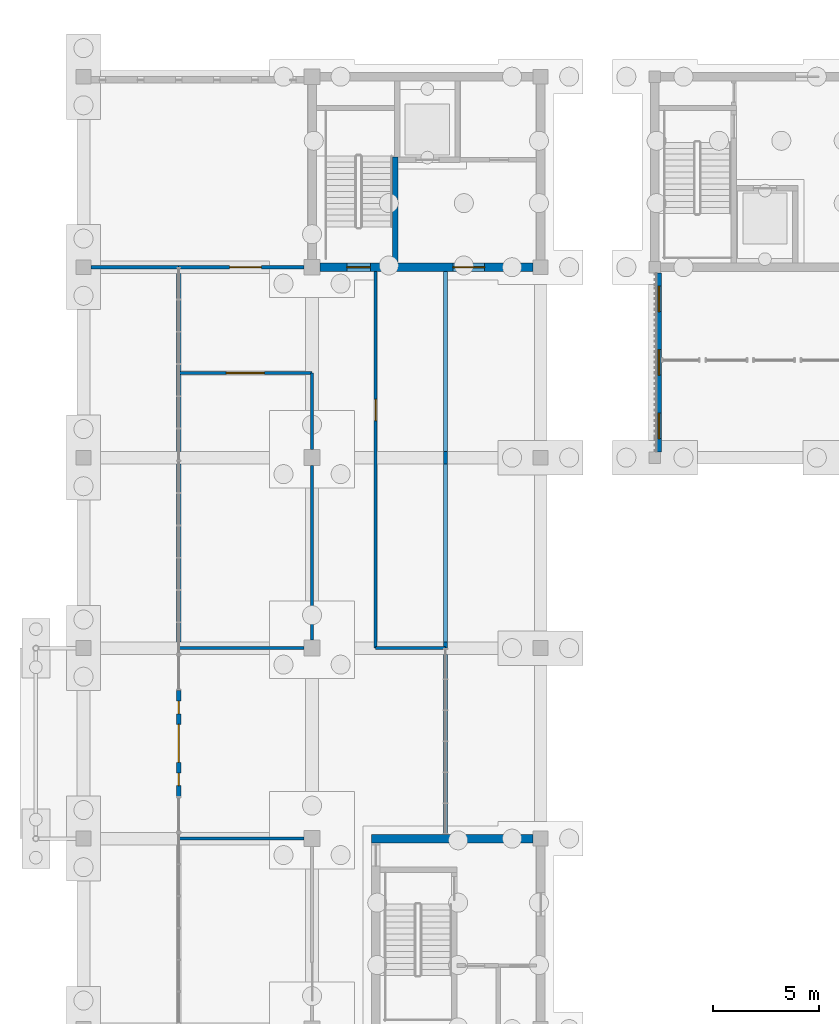
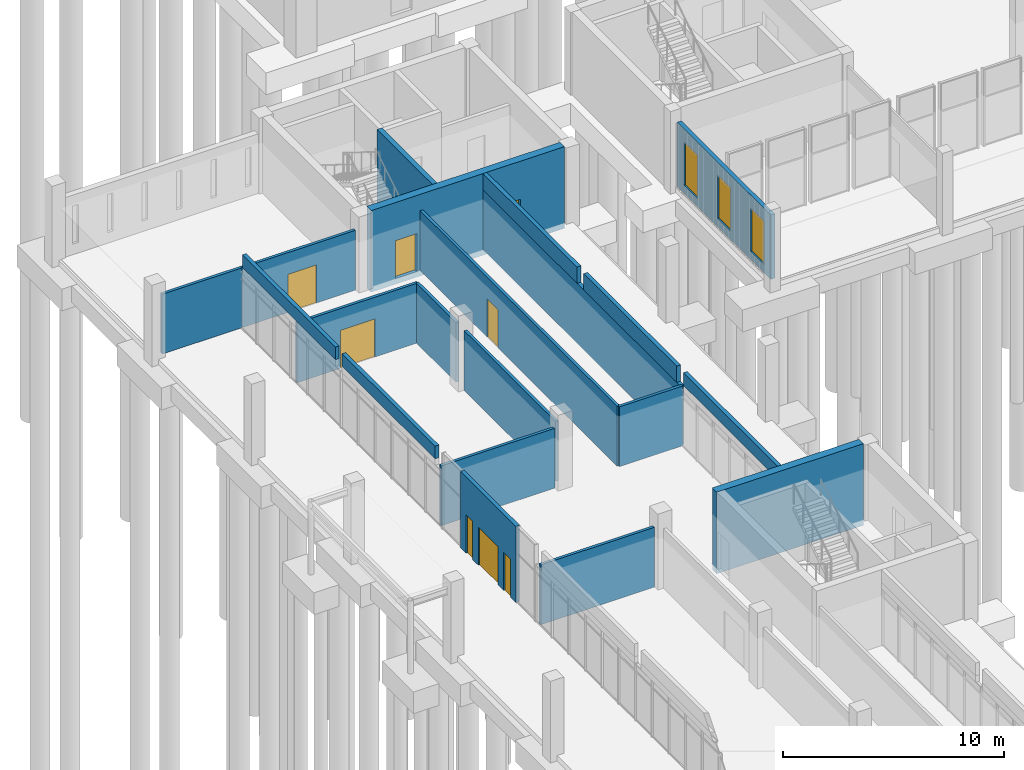
# One storey, part 73 of 106: 20 walls, 6 doors, 5 windows, 11 openings.
"""IFC4 building model written with IfcOpenShell, lengths in metres."""

from ifc_helpers import new_model, si_unit, direction, frame, frame_2d, origin, place, context, subcontext, project, spatial, rectangle, extrude, material, layer, layer_set, type_object, element, fill, save


model = new_model("IFC4")

# Units and contexts
model_context = context("Model", 3, precision=1e-05, world=origin(), true_north=direction((0.0, 1.0)))
body_context = subcontext(model_context, "Body", "Model", "MODEL_VIEW")
ifc_project = project(units=[si_unit("LENGTHUNIT", "METRE"), si_unit("AREAUNIT", "SQUARE_METRE"), si_unit("VOLUMEUNIT", "CUBIC_METRE"), si_unit("PLANEANGLEUNIT", "RADIAN"), si_unit("MASSUNIT", "GRAM", prefix="KILO")], contexts=[model_context])

# Site, building, storey
site_placement = place(None, origin())
site = spatial("IfcSite", under=ifc_project, at=site_placement, CompositionType="ELEMENT")
building_placement = place(site_placement, origin())
building = spatial("IfcBuilding", under=site, at=building_placement, Name="Merrow Basin Faculty of Sciences", CompositionType="ELEMENT")
storey_placement = place(building_placement, origin())
storey = spatial("IfcBuildingStorey", under=building, at=storey_placement, Name="L00", CompositionType="ELEMENT", Elevation=0.0)

# Walls
ifc_material_1 = material(Name="Fire-rated gypsum board")
ifc_layer_1 = layer(ifc_material_1, 0.14990234375)
ifc_layer_set_1 = layer_set([ifc_layer_1], Name="Corridor partition 150 fire-rated board on steel studs")
wall_type_1 = type_object("IfcWallType", Name="Corridor partition 150 fire-rated board on steel studs", PredefinedType="PARTITIONING", material=ifc_layer_set_1)
wall_1_placement = place(storey_placement, frame((10.800048828125, 106.375, 0.0), z_axis=(0.0, 0.0, 1.0), x_axis=(0.0, 1.0, 0.0)))
element("IfcWall", 1, at=wall_1_placement, inside=storey, type_object=wall_type_1, Name="IW151 L00 009", PredefinedType="PARTITIONING", context=body_context, shape_type="SweptSolid", body=[
    extrude(rectangle(XDim=8.25, YDim=0.14990234375, at=frame_2d((4.125, 0.0))), origin(), (0.0, 0.0, 1.0), 3.300048828125),
])
wall_2_placement = place(storey_placement, frame((10.800048828125, 115.375, 0.0), z_axis=(0.0, 0.0, 1.0), x_axis=(0.0, 1.0, 0.0)))
element("IfcWall", 2, at=wall_2_placement, inside=storey, type_object=wall_type_1, Name="IW151 L00 010", PredefinedType="PARTITIONING", context=body_context, shape_type="SweptSolid", body=[
    extrude(rectangle(XDim=3.625, YDim=0.14990234375, at=frame_2d((1.8125, 0.0))), origin(), (0.0, 0.0, 1.0), 3.300048828125),
])

# Wall, opening, door
wall_3_placement = place(storey_placement, frame((13.800048828125, 106.0, 0.0), z_axis=(0.0, 0.0, 1.0), x_axis=(0.0, 1.0, 0.0)))
wall_3 = element("IfcWall", 3, at=wall_3_placement, inside=storey, type_object=wall_type_1, Name="IW151 L00 012", PredefinedType="PARTITIONING", context=body_context, shape_type="SweptSolid", body=[
    extrude(rectangle(XDim=17.800048828125, YDim=0.14990234375, at=frame_2d((8.89990234375, 0.0))), origin(), (0.0, 0.0, 1.0), 3.300048828125),
])
opening_1_placement = place(wall_3_placement, frame((10.75, 0.0, 0.0)))
opening_1 = element("IfcOpeningElement", 4, at=opening_1_placement, cuts=wall_3, Name="Opening D00B022", PredefinedType="OPENING", context=body_context, shape_type="SweptSolid", body=[
    extrude(rectangle(XDim=1.0, YDim=2.10009765625, at=frame_2d((0.5, 1.050048828125))), frame((0.0, 0.0849609375, 0.0), z_axis=(0.0, -1.0, 0.0), x_axis=(1.0, 0.0, 0.0)), (0.0, 0.0, 1.0), 0.169921875),
])
ifc_material_2 = material(Name="Fire-rated steel door", Category="steel")
door_type_1 = type_object("IfcDoorType", Name="Fire door FD60 1000 x 2100", OperationType="NOTDEFINED", PredefinedType="DOOR", material=ifc_material_2)
door_1_placement = place(opening_1_placement, origin())
door_1 = element("IfcDoor", 5, at=door_1_placement, inside=storey, type_object=door_type_1, Name="Door D00B022", OperationType="SINGLE_SWING_RIGHT", OverallHeight=2.10009765625, OverallWidth=1.0, PredefinedType="DOOR", context=body_context, shape_type="SweptSolid", body=[
    extrude(rectangle(XDim=1.0, YDim=2.10009765625, at=frame_2d((0.5, 1.050048828125))), frame((0.0, 0.02490234375, 0.0), z_axis=(0.0, -1.0, 0.0), x_axis=(1.0, 0.0, 0.0)), (0.0, 0.0, 1.0), 0.050048828125),
])
fill(opening_1, door_1)

# Walls
for number, where, z_axis, x_axis, name in (
    (6, (4.5, 97.0, 0.0), (0.0, 0.0, 1.0), (1.0, 0.0, 0.0), "IW151 L00 019"),
    (7, (4.5, 106.0, 0.0), (0.0, 0.0, 1.0), (1.0, 0.0, 0.0), "IW151 L00 020"),
):
    element("IfcWall", number, at=place(storey_placement, frame(where, z_axis=z_axis, x_axis=x_axis)), inside=storey, type_object=wall_type_1, Name=name, PredefinedType="PARTITIONING", context=body_context, shape_type="SweptSolid", body=[
        extrude(rectangle(XDim=5.925048828125, YDim=0.14990234375, at=frame_2d((2.96240234375, 0.0))), origin(), (0.0, 0.0, 1.0), 3.300048828125),
    ])
wall_4_placement = place(storey_placement, frame((13.800048828125, 106.0, 0.0), z_axis=(0.0, 0.0, 1.0), x_axis=(1.0, 0.0, 0.0)))
element("IfcWall", 8, at=wall_4_placement, inside=storey, type_object=wall_type_1, Name="IW151 L00 021", PredefinedType="PARTITIONING", context=body_context, shape_type="SweptSolid", body=[
    extrude(rectangle(XDim=3.300048828125, YDim=0.14990234375, at=frame_2d((1.64990234375, 0.0))), origin(), (0.0, 0.0, 1.0), 3.300048828125),
])

# Wall, opening, door
wall_5_placement = place(storey_placement, frame((4.5, 119.0, 0.0), z_axis=(0.0, 0.0, 1.0), x_axis=(1.0, 0.0, 0.0)))
wall_5 = element("IfcWall", 9, at=wall_5_placement, inside=storey, type_object=wall_type_1, Name="IW151 L00 022", PredefinedType="PARTITIONING", context=body_context, shape_type="SweptSolid", body=[
    extrude(rectangle(XDim=6.300048828125, YDim=0.14990234375, at=frame_2d((3.14990234375, 0.0))), origin(), (0.0, 0.0, 1.0), 3.300048828125),
])
opening_2_placement = place(wall_5_placement, frame((2.25, 0.0, 0.0)))
opening_2 = element("IfcOpeningElement", 10, at=opening_2_placement, cuts=wall_5, Name="Opening D00B021", PredefinedType="OPENING", context=body_context, shape_type="SweptSolid", body=[
    extrude(rectangle(XDim=1.800048828125, YDim=2.10009765625, at=frame_2d((0.89990234375, 1.050048828125))), frame((0.0, 0.0849609375, 0.0), z_axis=(0.0, -1.0, 0.0), x_axis=(1.0, 0.0, 0.0)), (0.0, 0.0, 1.0), 0.169921875),
])
ifc_material_3 = material(Name="Glazed aluminium door", Category="aluminium")
door_type_2 = type_object("IfcDoorType", Name="Double swing door 1800 x 2100", OperationType="NOTDEFINED", PredefinedType="DOOR", material=ifc_material_3)
door_2_placement = place(opening_2_placement, origin())
door_2 = element("IfcDoor", 11, at=door_2_placement, inside=storey, type_object=door_type_2, Name="Door D00B021", OperationType="DOUBLE_DOOR_SINGLE_SWING", OverallHeight=2.10009765625, OverallWidth=1.800048828125, PredefinedType="DOOR", context=body_context, shape_type="SweptSolid", body=[
    extrude(rectangle(XDim=1.800048828125, YDim=2.10009765625, at=frame_2d((0.89990234375, 1.050048828125))), frame((0.0, 0.02490234375, 0.0), z_axis=(0.0, -1.0, 0.0), x_axis=(1.0, 0.0, 0.0)), (0.0, 0.0, 1.0), 0.050048828125),
])
fill(opening_2, door_2)

wall_6_placement = place(storey_placement, frame((4.5, 124.0, 0.0), z_axis=(0.0, 0.0, 1.0), x_axis=(1.0, 0.0, 0.0)))
wall_6 = element("IfcWall", 12, at=wall_6_placement, inside=storey, type_object=wall_type_1, Name="IW151 L00 023", PredefinedType="PARTITIONING", context=body_context, shape_type="SweptSolid", body=[
    extrude(rectangle(XDim=5.925048828125, YDim=0.14990234375, at=frame_2d((2.96240234375, 0.0))), origin(), (0.0, 0.0, 1.0), 3.300048828125),
])
opening_3_placement = place(wall_6_placement, frame((2.39990234375, 0.0, 0.0)))
opening_3 = element("IfcOpeningElement", 13, at=opening_3_placement, cuts=wall_6, Name="Opening D00B023", PredefinedType="OPENING", context=body_context, shape_type="SweptSolid", body=[
    extrude(rectangle(XDim=1.5, YDim=2.10009765625, at=frame_2d((0.75, 1.050048828125))), frame((0.0, 0.0849609375, 0.0), z_axis=(0.0, -1.0, 0.0), x_axis=(1.0, 0.0, 0.0)), (0.0, 0.0, 1.0), 0.169921875),
])
ifc_material_4 = material(Name="Timber door leaf", Category="wood")
door_type_3 = type_object("IfcDoorType", Name="Double swing door 1500 x 2100", OperationType="NOTDEFINED", PredefinedType="DOOR", material=ifc_material_4)
door_3_placement = place(opening_3_placement, origin())
door_3 = element("IfcDoor", 14, at=door_3_placement, inside=storey, type_object=door_type_3, Name="Door D00B023", OperationType="DOUBLE_DOOR_SINGLE_SWING", OverallHeight=2.10009765625, OverallWidth=1.5, PredefinedType="DOOR", context=body_context, shape_type="SweptSolid", body=[
    extrude(rectangle(XDim=1.5, YDim=2.10009765625, at=frame_2d((0.75, 1.050048828125))), frame((0.0, 0.02490234375, 0.0), z_axis=(0.0, -1.0, 0.0), x_axis=(1.0, 0.0, 0.0)), (0.0, 0.0, 1.0), 0.050048828125),
])
fill(opening_3, door_3)

# Wall, openings, door, windows
ifc_material_5 = material(Name="Precast concrete C40/50", Category="concrete")
ifc_layer_2 = layer(ifc_material_5, 0.199951171875)
ifc_layer_set_2 = layer_set([ifc_layer_2], Name="Entrance frame wall 200 Precast concrete C40/50")
wall_type_2 = type_object("IfcWallType", Name="Entrance frame wall 200 Precast concrete C40/50", PredefinedType="STANDARD", material=ifc_layer_set_2)
wall_7_placement = place(storey_placement, frame((4.5, 99.0, 0.0), z_axis=(0.0, 0.0, 1.0), x_axis=(0.0, 1.0, 0.0)))
wall_7 = element("IfcWall", 15, at=wall_7_placement, inside=storey, type_object=wall_type_2, Name="Entrance frame wall west", PredefinedType="STANDARD", context=body_context, shape_type="SweptSolid", body=[
    extrude(rectangle(XDim=5.0, YDim=0.199951171875, at=frame_2d((2.5, 0.0))), origin(), (0.0, 0.0, 1.0), 4.199951171875),
])
opening_4_placement = place(wall_7_placement, frame((1.60009765625, 0.0, 0.0)))
opening_4 = element("IfcOpeningElement", 16, at=opening_4_placement, cuts=wall_7, Name="Opening D00B024", PredefinedType="OPENING", context=body_context, shape_type="SweptSolid", body=[
    extrude(rectangle(XDim=1.800048828125, YDim=2.10009765625, at=frame_2d((0.89990234375, 1.050048828125))), frame((0.0, 0.10986328125, 0.0), z_axis=(0.0, -1.0, 0.0), x_axis=(1.0, 0.0, 0.0)), (0.0, 0.0, 1.0), 0.219970703125),
])
opening_5_placement = place(wall_7_placement, frame((0.5, 0.0, 0.0)))
opening_5 = element("IfcOpeningElement", 17, at=opening_5_placement, cuts=wall_7, Name="Opening WN2", PredefinedType="OPENING", context=body_context, shape_type="SweptSolid", body=[
    extrude(rectangle(XDim=0.60009765625, YDim=2.10009765625, at=frame_2d((0.300048828125, 1.050048828125))), frame((0.0, 0.10986328125, 0.0), z_axis=(0.0, -1.0, 0.0), x_axis=(1.0, 0.0, 0.0)), (0.0, 0.0, 1.0), 0.219970703125),
])
opening_6_placement = place(wall_7_placement, frame((3.89990234375, 0.0, 0.0)))
opening_6 = element("IfcOpeningElement", 18, at=opening_6_placement, cuts=wall_7, Name="Opening WN2", PredefinedType="OPENING", context=body_context, shape_type="SweptSolid", body=[
    extrude(rectangle(XDim=0.60009765625, YDim=2.10009765625, at=frame_2d((0.300048828125, 1.050048828125))), frame((0.0, 0.10986328125, 0.0), z_axis=(0.0, -1.0, 0.0), x_axis=(1.0, 0.0, 0.0)), (0.0, 0.0, 1.0), 0.219970703125),
])
door_4_placement = place(opening_4_placement, origin())
door_4 = element("IfcDoor", 19, at=door_4_placement, inside=storey, type_object=door_type_2, Name="Main entrance door", OperationType="DOUBLE_DOOR_SINGLE_SWING", OverallHeight=2.10009765625, OverallWidth=1.800048828125, PredefinedType="DOOR", context=body_context, shape_type="SweptSolid", body=[
    extrude(rectangle(XDim=1.800048828125, YDim=2.10009765625, at=frame_2d((0.89990234375, 1.050048828125))), frame((0.0, 0.02490234375, 0.0), z_axis=(0.0, -1.0, 0.0), x_axis=(1.0, 0.0, 0.0)), (0.0, 0.0, 1.0), 0.050048828125),
])
fill(opening_4, door_4)
ifc_material_6 = material(Name="Low-E double glazing", Category="glass")
window_type_1 = type_object("IfcWindowType", Name="Entrance sidelight 600 x 2100", PartitioningType="SINGLE_PANEL", PredefinedType="WINDOW", material=ifc_material_6)
window_1_placement = place(opening_5_placement, origin())
window_1 = element("IfcWindow", 20, at=window_1_placement, inside=storey, type_object=window_type_1, Name="Main entrance sidelight", OverallHeight=2.10009765625, OverallWidth=0.60009765625, PartitioningType="SINGLE_PANEL", PredefinedType="WINDOW", context=body_context, shape_type="SweptSolid", body=[
    extrude(rectangle(XDim=0.60009765625, YDim=2.10009765625, at=frame_2d((0.300048828125, 1.050048828125))), frame((0.0, 0.030029296875, 0.0), z_axis=(0.0, -1.0, 0.0), x_axis=(1.0, 0.0, 0.0)), (0.0, 0.0, 1.0), 0.06005859375),
])
fill(opening_5, window_1)
window_2_placement = place(opening_6_placement, origin())
window_2 = element("IfcWindow", 21, at=window_2_placement, inside=storey, type_object=window_type_1, Name="Main entrance sidelight", OverallHeight=2.10009765625, OverallWidth=0.60009765625, PartitioningType="SINGLE_PANEL", PredefinedType="WINDOW", context=body_context, shape_type="SweptSolid", body=[
    extrude(rectangle(XDim=0.60009765625, YDim=2.10009765625, at=frame_2d((0.300048828125, 1.050048828125))), frame((0.0, 0.030029296875, 0.0), z_axis=(0.0, -1.0, 0.0), x_axis=(1.0, 0.0, 0.0)), (0.0, 0.0, 1.0), 0.06005859375),
])
fill(opening_6, window_2)

# Wall, openings, windows
ifc_material_7 = material(Name="Precast concrete C40/50", Category="concrete")
ifc_layer_3 = layer(ifc_material_7, 0.215087890625)
ifc_layer_set_3 = layer_set([ifc_layer_3], Name="External infill wall 215 Precast concrete C40/50")
wall_type_3 = type_object("IfcWallType", Name="External infill wall 215 Precast concrete C40/50", PredefinedType="STANDARD", material=ifc_layer_set_3)
wall_8_placement = place(storey_placement, frame((27.193115234375, 115.27490234375, 0.0), z_axis=(0.0, 0.0, 1.0), x_axis=(0.0, 1.0, 0.0)))
wall_8 = element("IfcWall", 22, at=wall_8_placement, inside=storey, type_object=wall_type_3, Name="W external wall 1", PredefinedType="STANDARD", context=body_context, shape_type="SweptSolid", body=[
    extrude(rectangle(XDim=8.4501953125, YDim=0.215087890625, at=frame_2d((4.22509765625, 0.0))), origin(), (0.0, 0.0, 1.0), 3.550048828125),
])
opening_7_placement = place(wall_8_placement, frame((0.625, 0.0, 0.449951171875)))
opening_7 = element("IfcOpeningElement", 23, at=opening_7_placement, cuts=wall_8, Name="Opening WN10", PredefinedType="OPENING", context=body_context, shape_type="SweptSolid", body=[
    extrude(rectangle(XDim=1.199951171875, YDim=2.39990234375, at=frame_2d((0.60009765625, 1.199951171875))), frame((0.0, 0.117431640625, 0.0), z_axis=(0.0, -1.0, 0.0), x_axis=(1.0, 0.0, 0.0)), (0.0, 0.0, 1.0), 0.235107421875),
])
opening_8_placement = place(wall_8_placement, frame((3.625, 0.0, 0.449951171875)))
opening_8 = element("IfcOpeningElement", 24, at=opening_8_placement, cuts=wall_8, Name="Opening WN10", PredefinedType="OPENING", context=body_context, shape_type="SweptSolid", body=[
    extrude(rectangle(XDim=1.199951171875, YDim=2.39990234375, at=frame_2d((0.60009765625, 1.199951171875))), frame((0.0, 0.117431640625, 0.0), z_axis=(0.0, -1.0, 0.0), x_axis=(1.0, 0.0, 0.0)), (0.0, 0.0, 1.0), 0.235107421875),
])
opening_9_placement = place(wall_8_placement, frame((6.625, 0.0, 0.449951171875)))
opening_9 = element("IfcOpeningElement", 25, at=opening_9_placement, cuts=wall_8, Name="Opening WN10", PredefinedType="OPENING", context=body_context, shape_type="SweptSolid", body=[
    extrude(rectangle(XDim=1.199951171875, YDim=2.39990234375, at=frame_2d((0.60009765625, 1.199951171875))), frame((0.0, 0.117431640625, 0.0), z_axis=(0.0, -1.0, 0.0), x_axis=(1.0, 0.0, 0.0)), (0.0, 0.0, 1.0), 0.235107421875),
])
ifc_material_8 = material(Name="Low-E double glazing", Category="glass")
window_type_2 = type_object("IfcWindowType", Name="Shopfront window 1200 x 2400", PartitioningType="SINGLE_PANEL", PredefinedType="WINDOW", material=ifc_material_8)
window_3_placement = place(opening_7_placement, origin())
window_3 = element("IfcWindow", 26, at=window_3_placement, inside=storey, type_object=window_type_2, Name="W window L00", OverallHeight=2.39990234375, OverallWidth=1.199951171875, PartitioningType="SINGLE_PANEL", PredefinedType="WINDOW", context=body_context, shape_type="SweptSolid", body=[
    extrude(rectangle(XDim=1.199951171875, YDim=2.39990234375, at=frame_2d((0.60009765625, 1.199951171875))), frame((0.0, 0.030029296875, 0.0), z_axis=(0.0, -1.0, 0.0), x_axis=(1.0, 0.0, 0.0)), (0.0, 0.0, 1.0), 0.06005859375),
])
fill(opening_7, window_3)
window_4_placement = place(opening_8_placement, origin())
window_4 = element("IfcWindow", 27, at=window_4_placement, inside=storey, type_object=window_type_2, Name="W window L00", OverallHeight=2.39990234375, OverallWidth=1.199951171875, PartitioningType="SINGLE_PANEL", PredefinedType="WINDOW", context=body_context, shape_type="SweptSolid", body=[
    extrude(rectangle(XDim=1.199951171875, YDim=2.39990234375, at=frame_2d((0.60009765625, 1.199951171875))), frame((0.0, 0.030029296875, 0.0), z_axis=(0.0, -1.0, 0.0), x_axis=(1.0, 0.0, 0.0)), (0.0, 0.0, 1.0), 0.06005859375),
])
fill(opening_8, window_4)
window_5_placement = place(opening_9_placement, origin())
window_5 = element("IfcWindow", 28, at=window_5_placement, inside=storey, type_object=window_type_2, Name="W window L00", OverallHeight=2.39990234375, OverallWidth=1.199951171875, PartitioningType="SINGLE_PANEL", PredefinedType="WINDOW", context=body_context, shape_type="SweptSolid", body=[
    extrude(rectangle(XDim=1.199951171875, YDim=2.39990234375, at=frame_2d((0.60009765625, 1.199951171875))), frame((0.0, 0.030029296875, 0.0), z_axis=(0.0, -1.0, 0.0), x_axis=(1.0, 0.0, 0.0)), (0.0, 0.0, 1.0), 0.06005859375),
])
fill(opening_9, window_5)

# Walls
ifc_material_9 = material(Name="Precast concrete C40/50", Category="concrete")
ifc_layer_4 = layer(ifc_material_9, 0.199951171875)
ifc_layer_set_4 = layer_set([ifc_layer_4], Name="Recess fascia 200 Precast concrete C40/50")
wall_type_4 = type_object("IfcWallType", Name="Recess fascia 200 Precast concrete C40/50", PredefinedType="STANDARD", material=ifc_layer_set_4)
for number, where, z_axis, x_axis, name in (
    (29, (4.5, 106.300048828125, 3.5), (0.0, 0.0, 1.0), (0.0, 1.0, 0.0), "Recess fascia wall"),
    (30, (4.5, 115.300048828125, 3.5), (0.0, 0.0, 1.0), (0.0, 1.0, 0.0), "Recess fascia wall"),
):
    element("IfcWall", number, at=place(storey_placement, frame(where, z_axis=z_axis, x_axis=x_axis)), inside=storey, type_object=wall_type_4, Name=name, PredefinedType="STANDARD", context=body_context, shape_type="SweptSolid", body=[
        extrude(rectangle(XDim=8.39990234375, YDim=0.199951171875, at=frame_2d((4.199951171875, 0.0))), origin(), (0.0, 0.0, 1.0), 0.699951171875),
    ])
wall_9_placement = place(storey_placement, frame((17.10009765625, 97.199951171875, 3.5), z_axis=(0.0, 0.0, 1.0), x_axis=(0.0, 1.0, 0.0)))
element("IfcWall", 31, at=wall_9_placement, inside=storey, type_object=wall_type_4, Name="Recess fascia wall", PredefinedType="STANDARD", context=body_context, shape_type="SweptSolid", body=[
    extrude(rectangle(XDim=8.5, YDim=0.199951171875, at=frame_2d((4.25, 0.0))), origin(), (0.0, 0.0, 1.0), 0.699951171875),
])
wall_10_placement = place(storey_placement, frame((17.10009765625, 106.300048828125, 3.300048828125), z_axis=(0.0, 0.0, 1.0), x_axis=(0.0, 1.0, 0.0)))
element("IfcWall", 32, at=wall_10_placement, inside=storey, type_object=wall_type_4, Name="Recess fascia wall", PredefinedType="STANDARD", context=body_context, shape_type="SweptSolid", body=[
    extrude(rectangle(XDim=8.39990234375, YDim=0.199951171875, at=frame_2d((4.199951171875, 0.0))), origin(), (0.0, 0.0, 1.0), 0.89990234375),
])
wall_11_placement = place(storey_placement, frame((17.10009765625, 115.300048828125, 3.300048828125), z_axis=(0.0, 0.0, 1.0), x_axis=(0.0, 1.0, 0.0)))
element("IfcWall", 33, at=wall_11_placement, inside=storey, type_object=wall_type_4, Name="Recess fascia wall", PredefinedType="STANDARD", context=body_context, shape_type="SweptSolid", body=[
    extrude(rectangle(XDim=8.5, YDim=0.199951171875, at=frame_2d((4.25, 0.0))), origin(), (0.0, 0.0, 1.0), 0.89990234375),
])
ifc_material_10 = material(Name="Precast concrete C40/50", Category="concrete")
ifc_layer_5 = layer(ifc_material_10, 0.199951171875)
ifc_layer_set_5 = layer_set([ifc_layer_5], Name="Recess wall 200 Precast concrete C40/50")
wall_type_5 = type_object("IfcWallType", Name="Recess wall 200 Precast concrete C40/50", PredefinedType="STANDARD", material=ifc_layer_set_5)
wall_12_placement = place(storey_placement, frame((17.10009765625, 106.0, 0.0), z_axis=(0.0, 0.0, 1.0), x_axis=(0.0, 1.0, 0.0)))
element("IfcWall", 34, at=wall_12_placement, inside=storey, type_object=wall_type_5, Name="Store recess wall", PredefinedType="STANDARD", context=body_context, shape_type="SweptSolid", body=[
    extrude(rectangle(XDim=17.800048828125, YDim=0.199951171875, at=frame_2d((8.89990234375, 0.0))), origin(), (0.0, 0.0, 1.0), 3.300048828125),
])
ifc_material_11 = material(Name="Concrete C40/50", Category="concrete")
ifc_layer_6 = layer(ifc_material_11, 0.25)
ifc_layer_set_6 = layer_set([ifc_layer_6], Name="Shear wall 250 Concrete C40/50")
wall_type_6 = type_object("IfcWallType", Name="Shear wall 250 Concrete C40/50", PredefinedType="SHEAR", material=ifc_layer_set_6)
wall_13_placement = place(storey_placement, frame((14.72509765625, 124.199951171875, -0.300048828125), z_axis=(0.0, 0.0, 1.0), x_axis=(0.0, 1.0, 0.0)))
element("IfcWall", 35, at=wall_13_placement, inside=storey, type_object=wall_type_6, Name="SW2 L00 020", PredefinedType="SHEAR", context=body_context, shape_type="SweptSolid", body=[
    extrude(rectangle(XDim=5.0, YDim=0.25, at=frame_2d((2.5, 0.0))), origin(), (0.0, 0.0, 1.0), 4.5),
])
ifc_material_12 = material(Name="Concrete C40/50", Category="concrete")
ifc_layer_7 = layer(ifc_material_12, 0.39990234375)
ifc_layer_set_7 = layer_set([ifc_layer_7], Name="Shear wall 400 Concrete C40/50")
wall_type_7 = type_object("IfcWallType", Name="Shear wall 400 Concrete C40/50", PredefinedType="SHEAR", material=ifc_layer_set_7)
wall_14_placement = place(storey_placement, frame((13.60009765625, 97.0, -0.300048828125), z_axis=(0.0, 0.0, 1.0), x_axis=(1.0, 0.0, 0.0)))
element("IfcWall", 36, at=wall_14_placement, inside=storey, type_object=wall_type_7, Name="SW1 L00 010", PredefinedType="SHEAR", context=body_context, shape_type="SweptSolid", body=[
    extrude(rectangle(XDim=7.64990234375, YDim=0.39990234375, at=frame_2d((3.824951171875, 0.0))), origin(), (0.0, 0.0, 1.0), 4.5),
])

# Wall, openings, doors
wall_15_placement = place(storey_placement, frame((11.175048828125, 124.0, -0.300048828125), z_axis=(0.0, 0.0, 1.0), x_axis=(1.0, 0.0, 0.0)))
wall_15 = element("IfcWall", 37, at=wall_15_placement, inside=storey, type_object=wall_type_7, Name="SW1 L00 015", PredefinedType="SHEAR", context=body_context, shape_type="SweptSolid", body=[
    extrude(rectangle(XDim=10.074951171875, YDim=0.39990234375, at=frame_2d((5.03759765625, 0.0))), origin(), (0.0, 0.0, 1.0), 4.5),
])
opening_10_placement = place(wall_15_placement, frame((1.27490234375, 0.0, 0.300048828125)))
opening_10 = element("IfcOpeningElement", 38, at=opening_10_placement, cuts=wall_15, Name="Opening D00B011", PredefinedType="OPENING", context=body_context, shape_type="SweptSolid", body=[
    extrude(rectangle(XDim=1.10009765625, YDim=2.10009765625, at=frame_2d((0.550048828125, 1.050048828125))), frame((0.0, 0.2099609375, 0.0), z_axis=(0.0, -1.0, 0.0), x_axis=(1.0, 0.0, 0.0)), (0.0, 0.0, 1.0), 0.419921875),
])
opening_11_placement = place(wall_15_placement, frame((6.27490234375, 0.0, 0.300048828125)))
opening_11 = element("IfcOpeningElement", 39, at=opening_11_placement, cuts=wall_15, Name="Opening D00B012", PredefinedType="OPENING", context=body_context, shape_type="SweptSolid", body=[
    extrude(rectangle(XDim=1.5, YDim=2.10009765625, at=frame_2d((0.75, 1.050048828125))), frame((0.0, 0.2099609375, 0.0), z_axis=(0.0, -1.0, 0.0), x_axis=(1.0, 0.0, 0.0)), (0.0, 0.0, 1.0), 0.419921875),
])
ifc_material_13 = material(Name="Fire-rated steel door", Category="steel")
door_type_4 = type_object("IfcDoorType", Name="Fire door FD60 1500 x 2100", OperationType="NOTDEFINED", PredefinedType="DOOR", material=ifc_material_13)
door_5_placement = place(opening_11_placement, origin())
door_5 = element("IfcDoor", 40, at=door_5_placement, inside=storey, type_object=door_type_4, Name="Door D00B012", OperationType="DOUBLE_DOOR_SINGLE_SWING", OverallHeight=2.10009765625, OverallWidth=1.5, PredefinedType="DOOR", context=body_context, shape_type="SweptSolid", body=[
    extrude(rectangle(XDim=1.5, YDim=2.10009765625, at=frame_2d((0.75, 1.050048828125))), frame((0.0, 0.02490234375, 0.0), z_axis=(0.0, -1.0, 0.0), x_axis=(1.0, 0.0, 0.0)), (0.0, 0.0, 1.0), 0.050048828125),
])
fill(opening_11, door_5)
ifc_material_14 = material(Name="Fire-rated steel door", Category="steel")
door_type_5 = type_object("IfcDoorType", Name="Fire door FD90 1100 x 2100", OperationType="NOTDEFINED", PredefinedType="DOOR", material=ifc_material_14)
door_6_placement = place(opening_10_placement, origin())
door_6 = element("IfcDoor", 41, at=door_6_placement, inside=storey, type_object=door_type_5, Name="Door D00B011", OperationType="SINGLE_SWING_LEFT", OverallHeight=2.10009765625, OverallWidth=1.10009765625, PredefinedType="DOOR", context=body_context, shape_type="SweptSolid", body=[
    extrude(rectangle(XDim=1.10009765625, YDim=2.10009765625, at=frame_2d((0.550048828125, 1.050048828125))), frame((0.0, 0.02490234375, 0.0), z_axis=(0.0, -1.0, 0.0), x_axis=(1.0, 0.0, 0.0)), (0.0, 0.0, 1.0), 0.050048828125),
])
fill(opening_10, door_6)

# Wall
ifc_material_15 = material(Name="Fire-rated gypsum board")
ifc_layer_8 = layer(ifc_material_15, 0.14990234375)
ifc_layer_set_8 = layer_set([ifc_layer_8], Name="Store partition 150 fire-rated board on steel studs")
wall_type_8 = type_object("IfcWallType", Name="Store partition 150 fire-rated board on steel studs", PredefinedType="PARTITIONING", material=ifc_layer_set_8)
wall_16_placement = place(storey_placement, frame((0.35009765625, 124.0, 0.0), z_axis=(0.0, 0.0, 1.0), x_axis=(1.0, 0.0, 0.0)))
element("IfcWall", 42, at=wall_16_placement, inside=storey, type_object=wall_type_8, Name="IW152 L00 025", PredefinedType="PARTITIONING", context=body_context, shape_type="SweptSolid", body=[
    extrude(rectangle(XDim=4.14990234375, YDim=0.14990234375, at=frame_2d((2.074951171875, 0.0))), origin(), (0.0, 0.0, 1.0), 3.300048828125),
])

save(model, "model.ifc")
